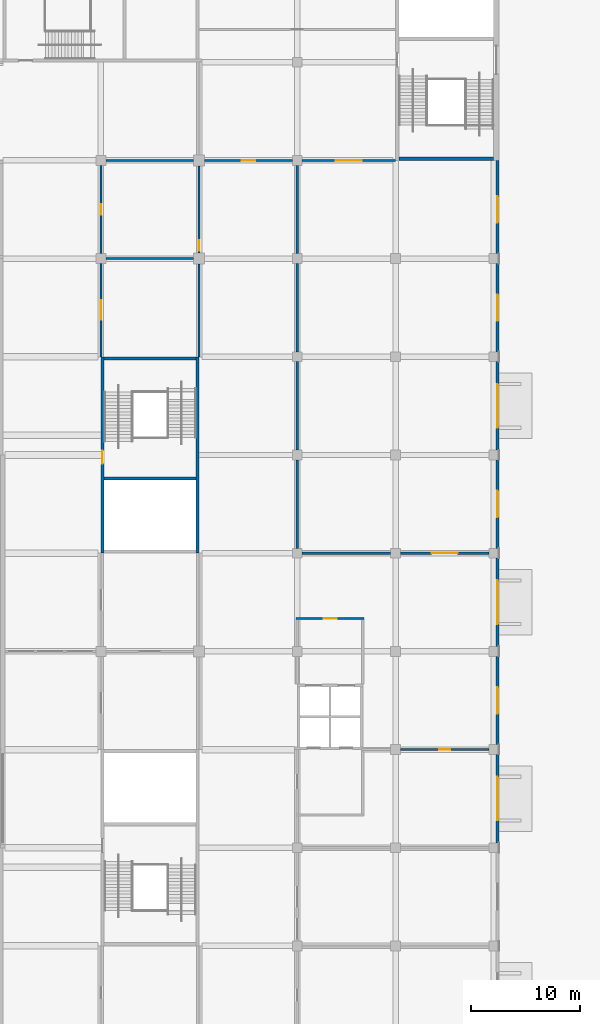
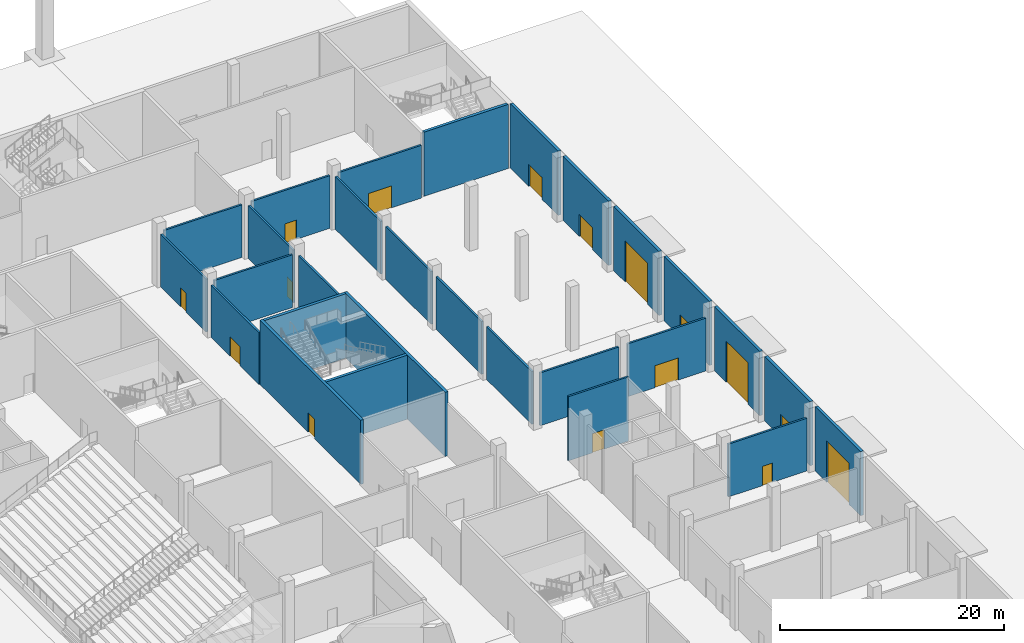
# One storey, part 38 of 92: 28 walls, 16 doors, 16 openings.
"""IFC4 building model written with IfcOpenShell, lengths in metres."""

from ifc_helpers import new_model, si_unit, direction, frame, frame_2d, origin, place, context, subcontext, project, spatial, rectangle, extrude, material, layer, layer_set, type_object, element, fill, save


model = new_model("IFC4")

# Units and contexts
model_context = context("Model", 3, precision=1e-05, world=origin(), true_north=direction((0.0, 1.0)))
body_context = subcontext(model_context, "Body", "Model", "MODEL_VIEW")
ifc_project = project(units=[si_unit("LENGTHUNIT", "METRE"), si_unit("AREAUNIT", "SQUARE_METRE"), si_unit("VOLUMEUNIT", "CUBIC_METRE"), si_unit("PLANEANGLEUNIT", "RADIAN"), si_unit("MASSUNIT", "GRAM", prefix="KILO")], contexts=[model_context])

# Site, building, storey
site_placement = place(None, origin())
site = spatial("IfcSite", under=ifc_project, at=site_placement, CompositionType="ELEMENT")
building_placement = place(site_placement, origin())
building = spatial("IfcBuilding", under=site, at=building_placement, Name="Silverbay Arena", CompositionType="ELEMENT")
storey_placement = place(building_placement, origin())
storey = spatial("IfcBuildingStorey", under=building, at=storey_placement, Name="L00", CompositionType="ELEMENT", Elevation=0.0)

# Wall, opening, door
ifc_material_1 = material(Name="Concrete Grade C45 precast, board-marked finish", Category="concrete")
ifc_layer_1 = layer(ifc_material_1, 0.300048828125)
ifc_layer_set_1 = layer_set([ifc_layer_1], Name="Concrete Grade C45 precast, board-marked finish")
wall_type_1 = type_object("IfcWallType", Name="Board-marked precast wall 300", PredefinedType="SOLIDWALL", material=ifc_layer_set_1)
wall_1_placement = place(storey_placement, frame((234.35009765625, 63.449951171875, 0.0), z_axis=(0.0, 0.0, 1.0), x_axis=(0.0, 1.0, 0.0)))
wall_1 = element("IfcWall", 1, at=wall_1_placement, inside=storey, type_object=wall_type_1, Name="East external wall L00 bay 6", PredefinedType="SOLIDWALL", context=body_context, shape_type="SweptSolid", body=[
    extrude(rectangle(XDim=8.10009765625, YDim=0.300048828125, at=frame_2d((4.050048828125, 0.0))), origin(), (0.0, 0.0, 1.0), 7.0),
])
opening_1_placement = place(wall_1_placement, frame((2.050048828125, 0.0, 0.0)))
opening_1 = element("IfcOpeningElement", 2, at=opening_1_placement, cuts=wall_1, Name="Opening L00-122", PredefinedType="OPENING", context=body_context, shape_type="SweptSolid", body=[
    extrude(rectangle(XDim=4.0, YDim=4.5, at=frame_2d((2.0, 2.25))), frame((0.0, 0.16015625, 0.0), z_axis=(0.0, -1.0, 0.0), x_axis=(1.0, 0.0, 0.0)), (0.0, 0.0, 1.0), 0.320068359375),
])
ifc_material_2 = material(Name="Steel", Category="steel")
door_type_1 = type_object("IfcDoorType", Name="Loading shutter 4000 x 4500", OperationType="ROLLINGUP", PredefinedType="DOOR", material=ifc_material_2)
door_1_placement = place(opening_1_placement, origin())
door_1 = element("IfcDoor", 3, at=door_1_placement, inside=storey, type_object=door_type_1, Name="Loading dock shutter 2", OperationType="ROLLINGUP", OverallHeight=4.5, OverallWidth=4.0, PredefinedType="DOOR", context=body_context, shape_type="SweptSolid", body=[
    extrude(rectangle(XDim=4.0, YDim=4.5, at=frame_2d((2.0, 2.25))), frame((0.0, 0.02490234375, 0.0), z_axis=(0.0, -1.0, 0.0), x_axis=(1.0, 0.0, 0.0)), (0.0, 0.0, 1.0), 0.050048828125),
])
fill(opening_1, door_1)

wall_2_placement = place(storey_placement, frame((234.35009765625, 72.449951171875, 0.0), z_axis=(0.0, 0.0, 1.0), x_axis=(0.0, 1.0, 0.0)))
wall_2 = element("IfcWall", 4, at=wall_2_placement, inside=storey, type_object=wall_type_1, Name="East external wall L00 bay 7", PredefinedType="SOLIDWALL", context=body_context, shape_type="SweptSolid", body=[
    extrude(rectangle(XDim=8.10009765625, YDim=0.300048828125, at=frame_2d((4.050048828125, 0.0))), origin(), (0.0, 0.0, 1.0), 7.0),
])
opening_2_placement = place(wall_2_placement, frame((2.85009765625, 0.0, 0.0)))
opening_2 = element("IfcOpeningElement", 5, at=opening_2_placement, cuts=wall_2, Name="Opening L00-123", PredefinedType="OPENING", context=body_context, shape_type="SweptSolid", body=[
    extrude(rectangle(XDim=2.39990234375, YDim=2.39990234375, at=frame_2d((1.199951171875, 1.199951171875))), frame((0.0, 0.16015625, 0.0), z_axis=(0.0, -1.0, 0.0), x_axis=(1.0, 0.0, 0.0)), (0.0, 0.0, 1.0), 0.320068359375),
])
ifc_material_3 = material(Name="Steel", Category="steel")
door_type_2 = type_object("IfcDoorType", Name="Exit gate door 2400 x 2400", OperationType="DOUBLE_DOOR_SINGLE_SWING", PredefinedType="DOOR", material=ifc_material_3)
door_2_placement = place(opening_2_placement, frame((2.39990234375, 0.0, 0.0), z_axis=(0.0, 0.0, 1.0), x_axis=(-1.0, 0.0, 0.0)))
door_2 = element("IfcDoor", 6, at=door_2_placement, inside=storey, type_object=door_type_2, Name="Pedestrian exit gate G39", OperationType="DOUBLE_DOOR_SINGLE_SWING", OverallHeight=2.39990234375, OverallWidth=2.39990234375, PredefinedType="DOOR", context=body_context, shape_type="SweptSolid", body=[
    extrude(rectangle(XDim=2.39990234375, YDim=2.39990234375, at=frame_2d((1.199951171875, 1.199951171875))), frame((0.0, 0.02490234375, 0.0), z_axis=(0.0, -1.0, 0.0), x_axis=(1.0, 0.0, 0.0)), (0.0, 0.0, 1.0), 0.050048828125),
])
fill(opening_2, door_2)

wall_3_placement = place(storey_placement, frame((234.35009765625, 81.449951171875, 0.0), z_axis=(0.0, 0.0, 1.0), x_axis=(0.0, 1.0, 0.0)))
wall_3 = element("IfcWall", 7, at=wall_3_placement, inside=storey, type_object=wall_type_1, Name="East external wall L00 bay 8", PredefinedType="SOLIDWALL", context=body_context, shape_type="SweptSolid", body=[
    extrude(rectangle(XDim=8.10009765625, YDim=0.300048828125, at=frame_2d((4.050048828125, 0.0))), origin(), (0.0, 0.0, 1.0), 7.0),
])
opening_3_placement = place(wall_3_placement, frame((2.050048828125, 0.0, 0.0)))
opening_3 = element("IfcOpeningElement", 8, at=opening_3_placement, cuts=wall_3, Name="Opening L00-124", PredefinedType="OPENING", context=body_context, shape_type="SweptSolid", body=[
    extrude(rectangle(XDim=4.0, YDim=4.5, at=frame_2d((2.0, 2.25))), frame((0.0, 0.16015625, 0.0), z_axis=(0.0, -1.0, 0.0), x_axis=(1.0, 0.0, 0.0)), (0.0, 0.0, 1.0), 0.320068359375),
])
door_3_placement = place(opening_3_placement, origin())
door_3 = element("IfcDoor", 9, at=door_3_placement, inside=storey, type_object=door_type_1, Name="Loading dock shutter 3", OperationType="ROLLINGUP", OverallHeight=4.5, OverallWidth=4.0, PredefinedType="DOOR", context=body_context, shape_type="SweptSolid", body=[
    extrude(rectangle(XDim=4.0, YDim=4.5, at=frame_2d((2.0, 2.25))), frame((0.0, 0.02490234375, 0.0), z_axis=(0.0, -1.0, 0.0), x_axis=(1.0, 0.0, 0.0)), (0.0, 0.0, 1.0), 0.050048828125),
])
fill(opening_3, door_3)

wall_4_placement = place(storey_placement, frame((234.35009765625, 90.449951171875, 0.0), z_axis=(0.0, 0.0, 1.0), x_axis=(0.0, 1.0, 0.0)))
wall_4 = element("IfcWall", 10, at=wall_4_placement, inside=storey, type_object=wall_type_1, Name="East external wall L00 bay 9", PredefinedType="SOLIDWALL", context=body_context, shape_type="SweptSolid", body=[
    extrude(rectangle(XDim=8.10009765625, YDim=0.300048828125, at=frame_2d((4.050048828125, 0.0))), origin(), (0.0, 0.0, 1.0), 7.0),
])
opening_4_placement = place(wall_4_placement, frame((2.85009765625, 0.0, 0.0)))
opening_4 = element("IfcOpeningElement", 11, at=opening_4_placement, cuts=wall_4, Name="Opening L00-125", PredefinedType="OPENING", context=body_context, shape_type="SweptSolid", body=[
    extrude(rectangle(XDim=2.39990234375, YDim=2.39990234375, at=frame_2d((1.199951171875, 1.199951171875))), frame((0.0, 0.16015625, 0.0), z_axis=(0.0, -1.0, 0.0), x_axis=(1.0, 0.0, 0.0)), (0.0, 0.0, 1.0), 0.320068359375),
])
door_4_placement = place(opening_4_placement, frame((2.39990234375, 0.0, 0.0), z_axis=(0.0, 0.0, 1.0), x_axis=(-1.0, 0.0, 0.0)))
door_4 = element("IfcDoor", 12, at=door_4_placement, inside=storey, type_object=door_type_2, Name="Pedestrian exit gate G40", OperationType="DOUBLE_DOOR_SINGLE_SWING", OverallHeight=2.39990234375, OverallWidth=2.39990234375, PredefinedType="DOOR", context=body_context, shape_type="SweptSolid", body=[
    extrude(rectangle(XDim=2.39990234375, YDim=2.39990234375, at=frame_2d((1.199951171875, 1.199951171875))), frame((0.0, 0.02490234375, 0.0), z_axis=(0.0, -1.0, 0.0), x_axis=(1.0, 0.0, 0.0)), (0.0, 0.0, 1.0), 0.050048828125),
])
fill(opening_4, door_4)

wall_5_placement = place(storey_placement, frame((234.35009765625, 99.449951171875, 0.0), z_axis=(0.0, 0.0, 1.0), x_axis=(0.0, 1.0, 0.0)))
wall_5 = element("IfcWall", 13, at=wall_5_placement, inside=storey, type_object=wall_type_1, Name="East external wall L00 bay 10", PredefinedType="SOLIDWALL", context=body_context, shape_type="SweptSolid", body=[
    extrude(rectangle(XDim=8.10009765625, YDim=0.300048828125, at=frame_2d((4.050048828125, 0.0))), origin(), (0.0, 0.0, 1.0), 7.0),
])
opening_5_placement = place(wall_5_placement, frame((2.050048828125, 0.0, 0.0)))
opening_5 = element("IfcOpeningElement", 14, at=opening_5_placement, cuts=wall_5, Name="Opening L00-126", PredefinedType="OPENING", context=body_context, shape_type="SweptSolid", body=[
    extrude(rectangle(XDim=4.0, YDim=4.5, at=frame_2d((2.0, 2.25))), frame((0.0, 0.16015625, 0.0), z_axis=(0.0, -1.0, 0.0), x_axis=(1.0, 0.0, 0.0)), (0.0, 0.0, 1.0), 0.320068359375),
])
door_5_placement = place(opening_5_placement, origin())
door_5 = element("IfcDoor", 15, at=door_5_placement, inside=storey, type_object=door_type_1, Name="Loading dock shutter 4", OperationType="ROLLINGUP", OverallHeight=4.5, OverallWidth=4.0, PredefinedType="DOOR", context=body_context, shape_type="SweptSolid", body=[
    extrude(rectangle(XDim=4.0, YDim=4.5, at=frame_2d((2.0, 2.25))), frame((0.0, 0.02490234375, 0.0), z_axis=(0.0, -1.0, 0.0), x_axis=(1.0, 0.0, 0.0)), (0.0, 0.0, 1.0), 0.050048828125),
])
fill(opening_5, door_5)

wall_6_placement = place(storey_placement, frame((234.35009765625, 108.449951171875, 0.0), z_axis=(0.0, 0.0, 1.0), x_axis=(0.0, 1.0, 0.0)))
wall_6 = element("IfcWall", 16, at=wall_6_placement, inside=storey, type_object=wall_type_1, Name="East external wall L00 bay 11", PredefinedType="SOLIDWALL", context=body_context, shape_type="SweptSolid", body=[
    extrude(rectangle(XDim=8.10009765625, YDim=0.300048828125, at=frame_2d((4.050048828125, 0.0))), origin(), (0.0, 0.0, 1.0), 7.0),
])
opening_6_placement = place(wall_6_placement, frame((2.85009765625, 0.0, 0.0)))
opening_6 = element("IfcOpeningElement", 17, at=opening_6_placement, cuts=wall_6, Name="Opening L00-127", PredefinedType="OPENING", context=body_context, shape_type="SweptSolid", body=[
    extrude(rectangle(XDim=2.39990234375, YDim=2.39990234375, at=frame_2d((1.199951171875, 1.199951171875))), frame((0.0, 0.16015625, 0.0), z_axis=(0.0, -1.0, 0.0), x_axis=(1.0, 0.0, 0.0)), (0.0, 0.0, 1.0), 0.320068359375),
])
door_6_placement = place(opening_6_placement, frame((2.39990234375, 0.0, 0.0), z_axis=(0.0, 0.0, 1.0), x_axis=(-1.0, 0.0, 0.0)))
door_6 = element("IfcDoor", 18, at=door_6_placement, inside=storey, type_object=door_type_2, Name="Pedestrian exit gate G41", OperationType="DOUBLE_DOOR_SINGLE_SWING", OverallHeight=2.39990234375, OverallWidth=2.39990234375, PredefinedType="DOOR", context=body_context, shape_type="SweptSolid", body=[
    extrude(rectangle(XDim=2.39990234375, YDim=2.39990234375, at=frame_2d((1.199951171875, 1.199951171875))), frame((0.0, 0.02490234375, 0.0), z_axis=(0.0, -1.0, 0.0), x_axis=(1.0, 0.0, 0.0)), (0.0, 0.0, 1.0), 0.050048828125),
])
fill(opening_6, door_6)

wall_7_placement = place(storey_placement, frame((234.35009765625, 117.449951171875, 0.0), z_axis=(0.0, 0.0, 1.0), x_axis=(0.0, 1.0, 0.0)))
wall_7 = element("IfcWall", 19, at=wall_7_placement, inside=storey, type_object=wall_type_1, Name="East external wall L00 bay 12", PredefinedType="SOLIDWALL", context=body_context, shape_type="SweptSolid", body=[
    extrude(rectangle(XDim=8.550048828125, YDim=0.300048828125, at=frame_2d((4.27490234375, 0.0))), origin(), (0.0, 0.0, 1.0), 7.0),
])
opening_7_placement = place(wall_7_placement, frame((2.85009765625, 0.0, 0.0)))
opening_7 = element("IfcOpeningElement", 20, at=opening_7_placement, cuts=wall_7, Name="Opening L00-128", PredefinedType="OPENING", context=body_context, shape_type="SweptSolid", body=[
    extrude(rectangle(XDim=2.39990234375, YDim=2.39990234375, at=frame_2d((1.199951171875, 1.199951171875))), frame((0.0, 0.16015625, 0.0), z_axis=(0.0, -1.0, 0.0), x_axis=(1.0, 0.0, 0.0)), (0.0, 0.0, 1.0), 0.320068359375),
])
door_7_placement = place(opening_7_placement, frame((2.39990234375, 0.0, 0.0), z_axis=(0.0, 0.0, 1.0), x_axis=(-1.0, 0.0, 0.0)))
door_7 = element("IfcDoor", 21, at=door_7_placement, inside=storey, type_object=door_type_2, Name="Pedestrian exit gate G42", OperationType="DOUBLE_DOOR_SINGLE_SWING", OverallHeight=2.39990234375, OverallWidth=2.39990234375, PredefinedType="DOOR", context=body_context, shape_type="SweptSolid", body=[
    extrude(rectangle(XDim=2.39990234375, YDim=2.39990234375, at=frame_2d((1.199951171875, 1.199951171875))), frame((0.0, 0.02490234375, 0.0), z_axis=(0.0, -1.0, 0.0), x_axis=(1.0, 0.0, 0.0)), (0.0, 0.0, 1.0), 0.050048828125),
])
fill(opening_7, door_7)

ifc_material_4 = material(Name="Concrete Grade C45", Category="concrete")
ifc_layer_2 = layer(ifc_material_4, 0.300048828125)
ifc_layer_set_2 = layer_set([ifc_layer_2], Name="Concrete Grade C45")
wall_type_2 = type_object("IfcWallType", Name="Core wall RC 300 EI 120", PredefinedType="SHEAR", material=ifc_layer_set_2)
wall_8_placement = place(storey_placement, frame((198.14990234375, 108.0, 0.0), z_axis=(0.0, 0.0, 1.0), x_axis=(0.0, -1.0, 0.0)))
wall_8 = element("IfcWall", 22, at=wall_8_placement, inside=storey, type_object=wall_type_2, Name="Core wall ST-E2 L00 door side", PredefinedType="SHEAR", context=body_context, shape_type="SweptSolid", body=[
    extrude(rectangle(XDim=18.0, YDim=0.300048828125, at=frame_2d((9.0, 0.0))), origin(), (0.0, 0.0, 1.0), 7.0),
])
opening_8_placement = place(wall_8_placement, frame((8.60009765625, 0.0, 0.0)))
opening_8 = element("IfcOpeningElement", 23, at=opening_8_placement, cuts=wall_8, Name="Opening L00-185", PredefinedType="OPENING", context=body_context, shape_type="SweptSolid", body=[
    extrude(rectangle(XDim=1.199951171875, YDim=2.10009765625, at=frame_2d((0.60009765625, 1.050048828125))), frame((0.0, 0.16015625, 0.0), z_axis=(0.0, -1.0, 0.0), x_axis=(1.0, 0.0, 0.0)), (0.0, 0.0, 1.0), 0.320068359375),
])
ifc_material_5 = material(Name="Steel fire door", Category="steel")
door_type_3 = type_object("IfcDoorType", Name="Stair door 1200 x 2100 fire door", OperationType="SINGLE_SWING_LEFT", PredefinedType="DOOR", material=ifc_material_5)
door_8_placement = place(opening_8_placement, origin())
door_8 = element("IfcDoor", 24, at=door_8_placement, inside=storey, type_object=door_type_3, Name="Stair door ST-E2 L00", OperationType="SINGLE_SWING_RIGHT", OverallHeight=2.10009765625, OverallWidth=1.199951171875, PredefinedType="DOOR", context=body_context, shape_type="SweptSolid", body=[
    extrude(rectangle(XDim=1.199951171875, YDim=2.10009765625, at=frame_2d((0.60009765625, 1.050048828125))), frame((0.0, 0.02490234375, 0.0), z_axis=(0.0, -1.0, 0.0), x_axis=(1.0, 0.0, 0.0)), (0.0, 0.0, 1.0), 0.050048828125),
])
fill(opening_8, door_8)

# Walls
wall_9_placement = place(storey_placement, frame((206.85009765625, 108.0, 0.0), z_axis=(0.0, 0.0, 1.0), x_axis=(0.0, -1.0, 0.0)))
element("IfcWall", 25, at=wall_9_placement, inside=storey, type_object=wall_type_2, Name="Core wall ST-E2 L00 far side", PredefinedType="SHEAR", context=body_context, shape_type="SweptSolid", body=[
    extrude(rectangle(XDim=18.0, YDim=0.300048828125, at=frame_2d((9.0, 0.0))), origin(), (0.0, 0.0, 1.0), 7.0),
])
for number, where, z_axis, x_axis, name in (
    (26, (198.300048828125, 107.85009765625, 0.0), (0.0, 0.0, 1.0), (1.0, 0.0, 0.0), "Core wall ST-E2 L00 end 1"),
    (27, (198.300048828125, 96.85009765625, 0.0), (0.0, 0.0, 1.0), (1.0, 0.0, 0.0), "Core wall ST-E2 L00 stair enclosure"),
):
    element("IfcWall", number, at=place(storey_placement, frame(where, z_axis=z_axis, x_axis=x_axis)), inside=storey, type_object=wall_type_2, Name=name, PredefinedType="SHEAR", context=body_context, shape_type="SweptSolid", body=[
        extrude(rectangle(XDim=8.39990234375, YDim=0.300048828125, at=frame_2d((4.199951171875, 0.0))), origin(), (0.0, 0.0, 1.0), 7.0),
    ])
wall_10_placement = place(storey_placement, frame((225.300048828125, 126.14990234375, 0.0), z_axis=(0.0, 0.0, 1.0), x_axis=(1.0, 0.0, 0.0)))
element("IfcWall", 28, at=wall_10_placement, inside=storey, type_object=wall_type_2, Name="Core wall ST-EG2 L00 end 1", PredefinedType="SHEAR", context=body_context, shape_type="SweptSolid", body=[
    extrude(rectangle(XDim=8.699951171875, YDim=0.300048828125, at=frame_2d((4.35009765625, 0.0))), origin(), (0.0, 0.0, 1.0), 7.0),
])

# Wall, opening, door
ifc_material_6 = material(Name="Masonry blockwork partition", Category="masonry")
ifc_layer_3 = layer(ifc_material_6, 0.199951171875)
ifc_layer_set_3 = layer_set([ifc_layer_3], Name="Masonry blockwork partition")
wall_type_3 = type_object("IfcWallType", Name="Partition 200 EI 120", PredefinedType="PARTITIONING", material=ifc_layer_set_3)
wall_11_placement = place(storey_placement, frame((215.89990234375, 84.0, 0.0), z_axis=(0.0, 0.0, 1.0), x_axis=(1.0, 0.0, 0.0)))
wall_11 = element("IfcWall", 29, at=wall_11_placement, inside=storey, type_object=wall_type_3, Name="Partition wall", PredefinedType="PARTITIONING", context=body_context, shape_type="SweptSolid", body=[
    extrude(rectangle(XDim=6.2001953125, YDim=0.199951171875, at=frame_2d((3.10009765625, 0.0))), origin(), (0.0, 0.0, 1.0), 7.0),
])
opening_9_placement = place(wall_11_placement, frame((2.5, 0.0, 0.0)))
opening_9 = element("IfcOpeningElement", 30, at=opening_9_placement, cuts=wall_11, Name="Opening L00-066", PredefinedType="OPENING", context=body_context, shape_type="SweptSolid", body=[
    extrude(rectangle(XDim=1.199951171875, YDim=2.10009765625, at=frame_2d((0.60009765625, 1.050048828125))), frame((0.0, 0.10986328125, 0.0), z_axis=(0.0, -1.0, 0.0), x_axis=(1.0, 0.0, 0.0)), (0.0, 0.0, 1.0), 0.219970703125),
])
ifc_material_7 = material(Name="Steel faced timber", Category="steel")
door_type_4 = type_object("IfcDoorType", Name="Single leaf door 1200 x 2100 FD120", OperationType="SINGLE_SWING_LEFT", PredefinedType="DOOR", material=ifc_material_7)
door_9_placement = place(opening_9_placement, origin())
door_9 = element("IfcDoor", 31, at=door_9_placement, inside=storey, type_object=door_type_4, Name="Door L00-066", OperationType="SINGLE_SWING_RIGHT", OverallHeight=2.10009765625, OverallWidth=1.199951171875, PredefinedType="DOOR", context=body_context, shape_type="SweptSolid", body=[
    extrude(rectangle(XDim=1.199951171875, YDim=2.10009765625, at=frame_2d((0.60009765625, 1.050048828125))), frame((0.0, 0.02490234375, 0.0), z_axis=(0.0, -1.0, 0.0), x_axis=(1.0, 0.0, 0.0)), (0.0, 0.0, 1.0), 0.050048828125),
])
fill(opening_9, door_9)

wall_12_placement = place(storey_placement, frame((225.449951171875, 90.0, 0.0), z_axis=(0.0, 0.0, 1.0), x_axis=(1.0, 0.0, 0.0)))
wall_12 = element("IfcWall", 32, at=wall_12_placement, inside=storey, type_object=wall_type_3, Name="Partition wall", PredefinedType="PARTITIONING", context=body_context, shape_type="SweptSolid", body=[
    extrude(rectangle(XDim=8.10009765625, YDim=0.199951171875, at=frame_2d((4.050048828125, 0.0))), origin(), (0.0, 0.0, 1.0), 5.75),
])
opening_10_placement = place(wall_12_placement, frame((2.85009765625, 0.0, 0.0)))
opening_10 = element("IfcOpeningElement", 33, at=opening_10_placement, cuts=wall_12, Name="Opening L00-067", PredefinedType="OPENING", context=body_context, shape_type="SweptSolid", body=[
    extrude(rectangle(XDim=2.39990234375, YDim=2.39990234375, at=frame_2d((1.199951171875, 1.199951171875))), frame((0.0, 0.10986328125, 0.0), z_axis=(0.0, -1.0, 0.0), x_axis=(1.0, 0.0, 0.0)), (0.0, 0.0, 1.0), 0.219970703125),
])
ifc_material_8 = material(Name="Steel faced timber", Category="steel")
door_type_5 = type_object("IfcDoorType", Name="Double leaf door 2400 x 2400 FD60", OperationType="DOUBLE_DOOR_DOUBLE_SWING", PredefinedType="DOOR", material=ifc_material_8)
door_10_placement = place(opening_10_placement, frame((2.39990234375, 0.0, 0.0), z_axis=(0.0, 0.0, 1.0), x_axis=(-1.0, 0.0, 0.0)))
door_10 = element("IfcDoor", 34, at=door_10_placement, inside=storey, type_object=door_type_5, Name="Door L00-067", OperationType="DOUBLE_DOOR_DOUBLE_SWING", OverallHeight=2.39990234375, OverallWidth=2.39990234375, PredefinedType="DOOR", context=body_context, shape_type="SweptSolid", body=[
    extrude(rectangle(XDim=2.39990234375, YDim=2.39990234375, at=frame_2d((1.199951171875, 1.199951171875))), frame((0.0, 0.02490234375, 0.0), z_axis=(0.0, -1.0, 0.0), x_axis=(1.0, 0.0, 0.0)), (0.0, 0.0, 1.0), 0.050048828125),
])
fill(opening_10, door_10)

# Walls
wall_13_placement = place(storey_placement, frame((216.449951171875, 90.0, 0.0), z_axis=(0.0, 0.0, 1.0), x_axis=(1.0, 0.0, 0.0)))
element("IfcWall", 35, at=wall_13_placement, inside=storey, type_object=wall_type_3, Name="Partition wall", PredefinedType="PARTITIONING", context=body_context, shape_type="SweptSolid", body=[
    extrude(rectangle(XDim=8.10009765625, YDim=0.199951171875, at=frame_2d((4.050048828125, 0.0))), origin(), (0.0, 0.0, 1.0), 5.75),
])
for number, where, z_axis, x_axis, name in (
    (36, (198.449951171875, 117.0, 0.0), (0.0, 0.0, 1.0), (1.0, 0.0, 0.0), "Partition wall"),
    (37, (198.449951171875, 126.0, 0.0), (0.0, 0.0, 1.0), (1.0, 0.0, 0.0), "Partition wall"),
):
    element("IfcWall", number, at=place(storey_placement, frame(where, z_axis=z_axis, x_axis=x_axis)), inside=storey, type_object=wall_type_3, Name=name, PredefinedType="PARTITIONING", context=body_context, shape_type="SweptSolid", body=[
        extrude(rectangle(XDim=8.050048828125, YDim=0.199951171875, at=frame_2d((4.02490234375, 0.0))), origin(), (0.0, 0.0, 1.0), 5.75),
    ])

# Wall, opening, door
wall_14_placement = place(storey_placement, frame((207.5, 126.0, 0.0), z_axis=(0.0, 0.0, 1.0), x_axis=(1.0, 0.0, 0.0)))
wall_14 = element("IfcWall", 38, at=wall_14_placement, inside=storey, type_object=wall_type_3, Name="Partition wall", PredefinedType="PARTITIONING", context=body_context, shape_type="SweptSolid", body=[
    extrude(rectangle(XDim=8.050048828125, YDim=0.199951171875, at=frame_2d((4.02490234375, 0.0))), origin(), (0.0, 0.0, 1.0), 5.75),
])
opening_11_placement = place(wall_14_placement, frame((3.425048828125, 0.0, 0.0)))
opening_11 = element("IfcOpeningElement", 39, at=opening_11_placement, cuts=wall_14, Name="Opening L00-069", PredefinedType="OPENING", context=body_context, shape_type="SweptSolid", body=[
    extrude(rectangle(XDim=1.199951171875, YDim=2.10009765625, at=frame_2d((0.60009765625, 1.050048828125))), frame((0.0, 0.10986328125, 0.0), z_axis=(0.0, -1.0, 0.0), x_axis=(1.0, 0.0, 0.0)), (0.0, 0.0, 1.0), 0.219970703125),
])
door_11_placement = place(opening_11_placement, frame((1.199951171875, 0.0, 0.0), z_axis=(0.0, 0.0, 1.0), x_axis=(-1.0, 0.0, 0.0)))
door_11 = element("IfcDoor", 40, at=door_11_placement, inside=storey, type_object=door_type_4, Name="Door L00-069", OperationType="SINGLE_SWING_RIGHT", OverallHeight=2.10009765625, OverallWidth=1.199951171875, PredefinedType="DOOR", context=body_context, shape_type="SweptSolid", body=[
    extrude(rectangle(XDim=1.199951171875, YDim=2.10009765625, at=frame_2d((0.60009765625, 1.050048828125))), frame((0.0, 0.02490234375, 0.0), z_axis=(0.0, -1.0, 0.0), x_axis=(1.0, 0.0, 0.0)), (0.0, 0.0, 1.0), 0.050048828125),
])
fill(opening_11, door_11)

wall_15_placement = place(storey_placement, frame((216.449951171875, 126.0, 0.0), z_axis=(0.0, 0.0, 1.0), x_axis=(1.0, 0.0, 0.0)))
wall_15 = element("IfcWall", 41, at=wall_15_placement, inside=storey, type_object=wall_type_3, Name="Partition wall", PredefinedType="PARTITIONING", context=body_context, shape_type="SweptSolid", body=[
    extrude(rectangle(XDim=8.550048828125, YDim=0.199951171875, at=frame_2d((4.27490234375, 0.0))), origin(), (0.0, 0.0, 1.0), 5.75),
])
opening_12_placement = place(wall_15_placement, frame((3.074951171875, 0.0, 0.0)))
opening_12 = element("IfcOpeningElement", 42, at=opening_12_placement, cuts=wall_15, Name="Opening L00-060", PredefinedType="OPENING", context=body_context, shape_type="SweptSolid", body=[
    extrude(rectangle(XDim=2.39990234375, YDim=2.39990234375, at=frame_2d((1.199951171875, 1.199951171875))), frame((0.0, 0.10986328125, 0.0), z_axis=(0.0, -1.0, 0.0), x_axis=(1.0, 0.0, 0.0)), (0.0, 0.0, 1.0), 0.219970703125),
])
ifc_material_9 = material(Name="Steel faced timber", Category="steel")
door_type_6 = type_object("IfcDoorType", Name="Double leaf door 2400 x 2400 FD120", OperationType="DOUBLE_DOOR_DOUBLE_SWING", PredefinedType="DOOR", material=ifc_material_9)
door_12_placement = place(opening_12_placement, origin())
door_12 = element("IfcDoor", 43, at=door_12_placement, inside=storey, type_object=door_type_6, Name="Door L00-060", OperationType="DOUBLE_DOOR_DOUBLE_SWING", OverallHeight=2.39990234375, OverallWidth=2.39990234375, PredefinedType="DOOR", context=body_context, shape_type="SweptSolid", body=[
    extrude(rectangle(XDim=2.39990234375, YDim=2.39990234375, at=frame_2d((1.199951171875, 1.199951171875))), frame((0.0, 0.02490234375, 0.0), z_axis=(0.0, -1.0, 0.0), x_axis=(1.0, 0.0, 0.0)), (0.0, 0.0, 1.0), 0.050048828125),
])
fill(opening_12, door_12)

wall_16_placement = place(storey_placement, frame((198.0, 108.0, 0.0), z_axis=(0.0, 0.0, 1.0), x_axis=(0.0, 1.0, 0.0)))
wall_16 = element("IfcWall", 44, at=wall_16_placement, inside=storey, type_object=wall_type_3, Name="Partition wall", PredefinedType="PARTITIONING", context=body_context, shape_type="SweptSolid", body=[
    extrude(rectangle(XDim=8.550048828125, YDim=0.199951171875, at=frame_2d((4.27490234375, 0.0))), origin(), (0.0, 0.0, 1.0), 5.64990234375),
])
opening_13_placement = place(wall_16_placement, frame((3.375, 0.0, 0.0)))
opening_13 = element("IfcOpeningElement", 45, at=opening_13_placement, cuts=wall_16, Name="Opening L00-015", PredefinedType="OPENING", context=body_context, shape_type="SweptSolid", body=[
    extrude(rectangle(XDim=1.800048828125, YDim=2.10009765625, at=frame_2d((0.89990234375, 1.050048828125))), frame((0.0, 0.10986328125, 0.0), z_axis=(0.0, -1.0, 0.0), x_axis=(1.0, 0.0, 0.0)), (0.0, 0.0, 1.0), 0.219970703125),
])
ifc_material_10 = material(Name="Steel faced timber", Category="steel")
door_type_7 = type_object("IfcDoorType", Name="Double leaf door 1800 x 2100 FD120", OperationType="DOUBLE_DOOR_DOUBLE_SWING", PredefinedType="DOOR", material=ifc_material_10)
door_13_placement = place(opening_13_placement, frame((1.800048828125, 0.0, 0.0), z_axis=(0.0, 0.0, 1.0), x_axis=(-1.0, 0.0, 0.0)))
door_13 = element("IfcDoor", 46, at=door_13_placement, inside=storey, type_object=door_type_7, Name="Door L00-015", OperationType="DOUBLE_DOOR_DOUBLE_SWING", OverallHeight=2.10009765625, OverallWidth=1.800048828125, PredefinedType="DOOR", context=body_context, shape_type="SweptSolid", body=[
    extrude(rectangle(XDim=1.800048828125, YDim=2.10009765625, at=frame_2d((0.89990234375, 1.050048828125))), frame((0.0, 0.02490234375, 0.0), z_axis=(0.0, -1.0, 0.0), x_axis=(1.0, 0.0, 0.0)), (0.0, 0.0, 1.0), 0.050048828125),
])
fill(opening_13, door_13)

wall_17_placement = place(storey_placement, frame((198.0, 117.449951171875, 0.0), z_axis=(0.0, 0.0, 1.0), x_axis=(0.0, 1.0, 0.0)))
wall_17 = element("IfcWall", 47, at=wall_17_placement, inside=storey, type_object=wall_type_3, Name="Partition wall", PredefinedType="PARTITIONING", context=body_context, shape_type="SweptSolid", body=[
    extrude(rectangle(XDim=8.10009765625, YDim=0.199951171875, at=frame_2d((4.050048828125, 0.0))), origin(), (0.0, 0.0, 1.0), 5.75),
])
opening_14_placement = place(wall_17_placement, frame((3.550048828125, 0.0, 0.0)))
opening_14 = element("IfcOpeningElement", 48, at=opening_14_placement, cuts=wall_17, Name="Opening L00-016", PredefinedType="OPENING", context=body_context, shape_type="SweptSolid", body=[
    extrude(rectangle(XDim=1.0, YDim=2.10009765625, at=frame_2d((0.5, 1.050048828125))), frame((0.0, 0.10986328125, 0.0), z_axis=(0.0, -1.0, 0.0), x_axis=(1.0, 0.0, 0.0)), (0.0, 0.0, 1.0), 0.219970703125),
])
ifc_material_11 = material(Name="Steel faced timber", Category="steel")
door_type_8 = type_object("IfcDoorType", Name="Single leaf door 1000 x 2100 FD60", OperationType="SINGLE_SWING_LEFT", PredefinedType="DOOR", material=ifc_material_11)
door_14_placement = place(opening_14_placement, frame((1.0, 0.0, 0.0), z_axis=(0.0, 0.0, 1.0), x_axis=(-1.0, 0.0, 0.0)))
door_14 = element("IfcDoor", 49, at=door_14_placement, inside=storey, type_object=door_type_8, Name="Door L00-016", OperationType="SINGLE_SWING_LEFT", OverallHeight=2.10009765625, OverallWidth=1.0, PredefinedType="DOOR", context=body_context, shape_type="SweptSolid", body=[
    extrude(rectangle(XDim=1.0, YDim=2.10009765625, at=frame_2d((0.5, 1.050048828125))), frame((0.0, 0.02490234375, 0.0), z_axis=(0.0, -1.0, 0.0), x_axis=(1.0, 0.0, 0.0)), (0.0, 0.0, 1.0), 0.050048828125),
])
fill(opening_14, door_14)

# Wall
wall_18_placement = place(storey_placement, frame((207.0, 108.0, 0.0), z_axis=(0.0, 0.0, 1.0), x_axis=(0.0, 1.0, 0.0)))
element("IfcWall", 50, at=wall_18_placement, inside=storey, type_object=wall_type_3, Name="Partition wall", PredefinedType="PARTITIONING", context=body_context, shape_type="SweptSolid", body=[
    extrude(rectangle(XDim=8.5, YDim=0.199951171875, at=frame_2d((4.25, 0.0))), origin(), (0.0, 0.0, 1.0), 5.75),
])

# Wall, opening, door
wall_19_placement = place(storey_placement, frame((207.0, 117.5, 0.0), z_axis=(0.0, 0.0, 1.0), x_axis=(0.0, 1.0, 0.0)))
wall_19 = element("IfcWall", 51, at=wall_19_placement, inside=storey, type_object=wall_type_3, Name="Partition wall", PredefinedType="PARTITIONING", context=body_context, shape_type="SweptSolid", body=[
    extrude(rectangle(XDim=8.0, YDim=0.199951171875, at=frame_2d((4.0, 0.0))), origin(), (0.0, 0.0, 1.0), 5.75),
])
opening_15_placement = place(wall_19_placement, frame((0.199951171875, 0.0, 0.0)))
opening_15 = element("IfcOpeningElement", 52, at=opening_15_placement, cuts=wall_19, Name="Opening L00-094", PredefinedType="OPENING", context=body_context, shape_type="SweptSolid", body=[
    extrude(rectangle(XDim=1.0, YDim=2.10009765625, at=frame_2d((0.5, 1.050048828125))), frame((0.0, 0.10986328125, 0.0), z_axis=(0.0, -1.0, 0.0), x_axis=(1.0, 0.0, 0.0)), (0.0, 0.0, 1.0), 0.219970703125),
])
ifc_material_12 = material(Name="Steel faced timber", Category="steel")
door_type_9 = type_object("IfcDoorType", Name="Single leaf door 1000 x 2100 FD120", OperationType="SINGLE_SWING_LEFT", PredefinedType="DOOR", material=ifc_material_12)
door_15_placement = place(opening_15_placement, origin())
door_15 = element("IfcDoor", 53, at=door_15_placement, inside=storey, type_object=door_type_9, Name="Door L00-094", OperationType="SINGLE_SWING_LEFT", OverallHeight=2.10009765625, OverallWidth=1.0, PredefinedType="DOOR", context=body_context, shape_type="SweptSolid", body=[
    extrude(rectangle(XDim=1.0, YDim=2.10009765625, at=frame_2d((0.5, 1.050048828125))), frame((0.0, 0.02490234375, 0.0), z_axis=(0.0, -1.0, 0.0), x_axis=(1.0, 0.0, 0.0)), (0.0, 0.0, 1.0), 0.050048828125),
])
fill(opening_15, door_15)

# Walls
for number, where, z_axis, x_axis, name in (
    (54, (216.0, 90.449951171875, 0.0), (0.0, 0.0, 1.0), (0.0, 1.0, 0.0), "Partition wall"),
    (55, (216.0, 99.449951171875, 0.0), (0.0, 0.0, 1.0), (0.0, 1.0, 0.0), "Partition wall"),
    (56, (216.0, 108.449951171875, 0.0), (0.0, 0.0, 1.0), (0.0, 1.0, 0.0), "Partition wall"),
    (57, (216.0, 117.449951171875, 0.0), (0.0, 0.0, 1.0), (0.0, 1.0, 0.0), "Partition wall"),
):
    element("IfcWall", number, at=place(storey_placement, frame(where, z_axis=z_axis, x_axis=x_axis)), inside=storey, type_object=wall_type_3, Name=name, PredefinedType="PARTITIONING", context=body_context, shape_type="SweptSolid", body=[
        extrude(rectangle(XDim=8.10009765625, YDim=0.199951171875, at=frame_2d((4.050048828125, 0.0))), origin(), (0.0, 0.0, 1.0), 5.75),
    ])

# Wall, opening, door
ifc_material_13 = material(Name="Gypsum board partition on steel studs", Category="steel")
ifc_layer_4 = layer(ifc_material_13, 0.199951171875)
ifc_layer_set_4 = layer_set([ifc_layer_4], Name="Gypsum board partition on steel studs")
wall_type_4 = type_object("IfcWallType", Name="Partition 200 EI 60", PredefinedType="PARTITIONING", material=ifc_layer_set_4)
wall_20_placement = place(storey_placement, frame((225.449951171875, 72.0, 0.0), z_axis=(0.0, 0.0, 1.0), x_axis=(1.0, 0.0, 0.0)))
wall_20 = element("IfcWall", 58, at=wall_20_placement, inside=storey, type_object=wall_type_4, Name="Partition wall", PredefinedType="PARTITIONING", context=body_context, shape_type="SweptSolid", body=[
    extrude(rectangle(XDim=8.10009765625, YDim=0.199951171875, at=frame_2d((4.050048828125, 0.0))), origin(), (0.0, 0.0, 1.0), 5.75),
])
opening_16_placement = place(wall_20_placement, frame((3.550048828125, 0.0, 0.0)))
opening_16 = element("IfcOpeningElement", 59, at=opening_16_placement, cuts=wall_20, Name="Opening L00-059", PredefinedType="OPENING", context=body_context, shape_type="SweptSolid", body=[
    extrude(rectangle(XDim=1.0, YDim=2.10009765625, at=frame_2d((0.5, 1.050048828125))), frame((0.0, 0.10986328125, 0.0), z_axis=(0.0, -1.0, 0.0), x_axis=(1.0, 0.0, 0.0)), (0.0, 0.0, 1.0), 0.219970703125),
])
ifc_material_14 = material(Name="Steel faced timber", Category="steel")
door_type_10 = type_object("IfcDoorType", Name="Single leaf door 1000 x 2100 FD30S", OperationType="SINGLE_SWING_LEFT", PredefinedType="DOOR", material=ifc_material_14)
door_16_placement = place(opening_16_placement, frame((1.0, 0.0, 0.0), z_axis=(0.0, 0.0, 1.0), x_axis=(-1.0, 0.0, 0.0)))
door_16 = element("IfcDoor", 60, at=door_16_placement, inside=storey, type_object=door_type_10, Name="Door L00-059", OperationType="SINGLE_SWING_RIGHT", OverallHeight=2.10009765625, OverallWidth=1.0, PredefinedType="DOOR", context=body_context, shape_type="SweptSolid", body=[
    extrude(rectangle(XDim=1.0, YDim=2.10009765625, at=frame_2d((0.5, 1.050048828125))), frame((0.0, 0.02490234375, 0.0), z_axis=(0.0, -1.0, 0.0), x_axis=(1.0, 0.0, 0.0)), (0.0, 0.0, 1.0), 0.050048828125),
])
fill(opening_16, door_16)

save(model, "model.ifc")
